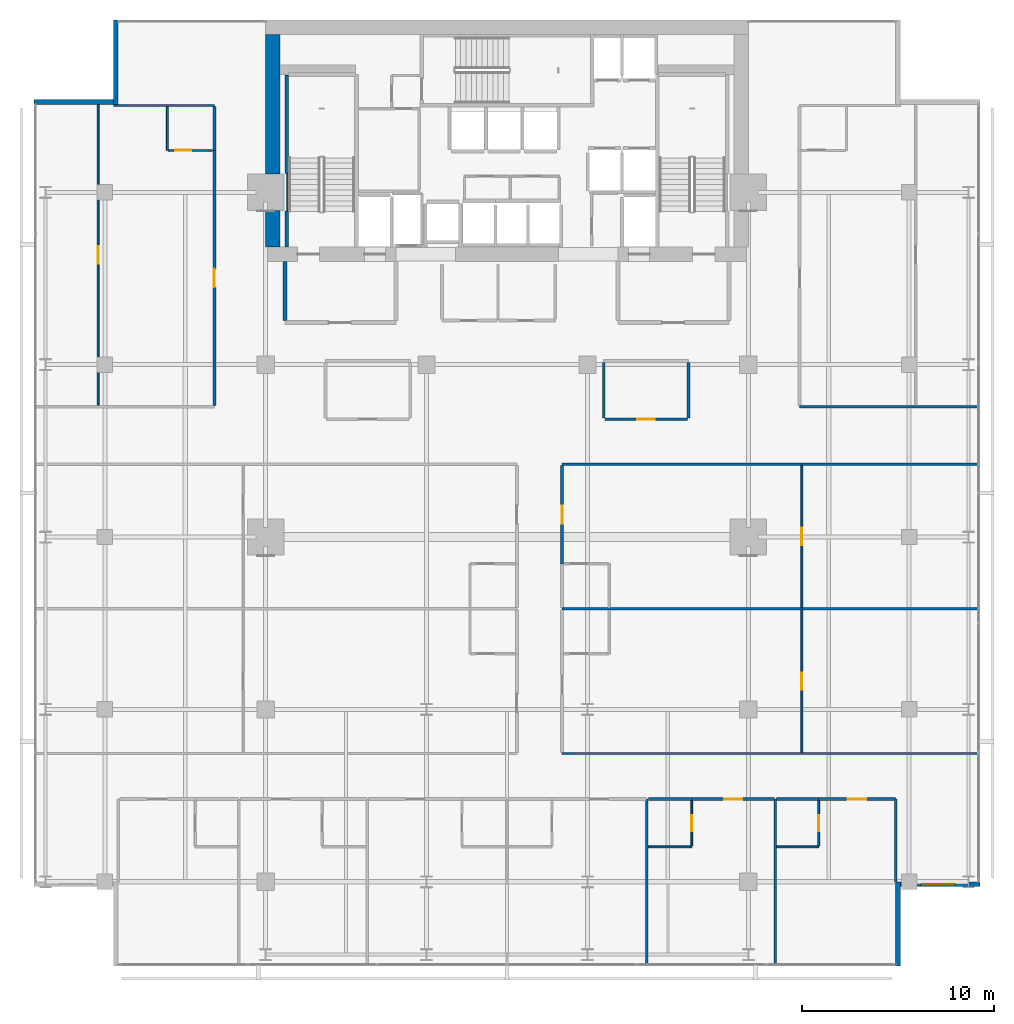
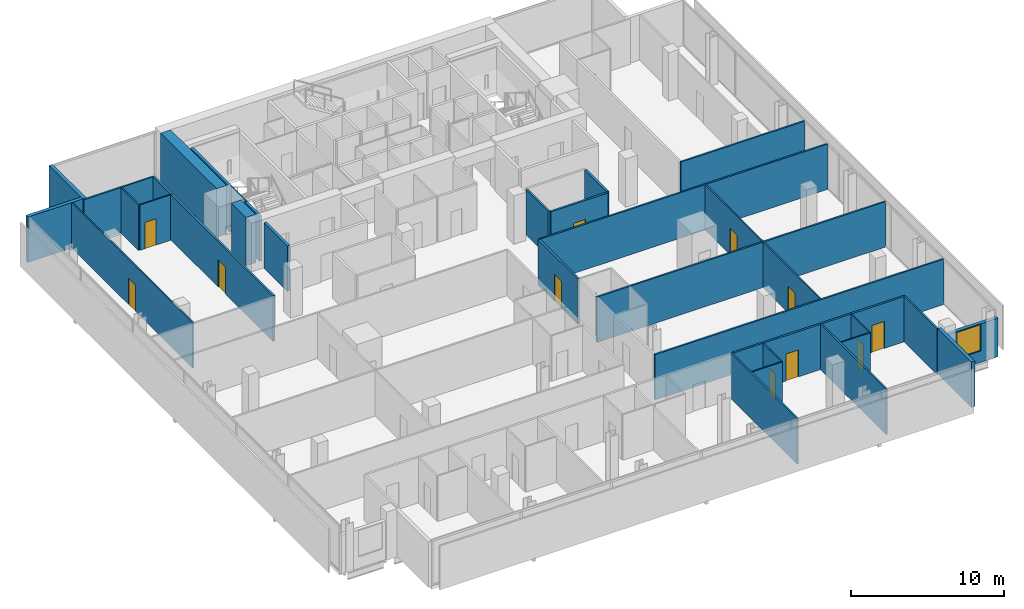
# One storey, part 28 of 33: 37 walls, 11 doors, 1 window, 12 openings.
"""IFC4 building model written with IfcOpenShell, lengths in metres."""

from ifc_helpers import new_model, si_unit, direction, frame, frame_2d, origin, place, context, subcontext, project, spatial, rectangle, extrude, material, layer, layer_set, type_object, element, fill, save


model = new_model("IFC4")

# Units and contexts
model_context = context("Model", 3, precision=1e-05, world=origin(), true_north=direction((0.0, 1.0)))
body_context = subcontext(model_context, "Body", "Model", "MODEL_VIEW")
ifc_project = project(units=[si_unit("LENGTHUNIT", "METRE"), si_unit("AREAUNIT", "SQUARE_METRE"), si_unit("VOLUMEUNIT", "CUBIC_METRE"), si_unit("PLANEANGLEUNIT", "RADIAN"), si_unit("MASSUNIT", "GRAM", prefix="KILO")], contexts=[model_context])

# Site, building, storey
site_placement = place(None, origin())
site = spatial("IfcSite", under=ifc_project, at=site_placement, CompositionType="ELEMENT")
building_placement = place(site_placement, origin())
building = spatial("IfcBuilding", under=site, at=building_placement, Name="Maruvema Waterfront Hotel and Observation Tower", CompositionType="ELEMENT")
storey_placement = place(building_placement, frame((0.0, 0.0, 204.39990234375)))
storey = spatial("IfcBuildingStorey", under=building, at=storey_placement, Name="L50", CompositionType="ELEMENT", Elevation=204.39990234375)

# Walls
ifc_material_1 = material(Name="Twin-stud acoustic gypsum drywall", Category="gypsum")
ifc_layer_1 = layer(ifc_material_1, 0.14990234375, Name="Acoustic Corridor and Suite Demising Wall 150 mm")
ifc_layer_set_1 = layer_set([ifc_layer_1], Name="Twin-stud acoustic gypsum drywall")
wall_type_1 = type_object("IfcWallType", Name="Acoustic Corridor and Suite Demising Wall 150 mm", PredefinedType="PARTITIONING", material=ifc_layer_set_1)
for number, where, z_axis, x_axis, name in (
    (1, (42.85009765625, 33.22998046875, 0.0), (0.0, 0.0, 1.0), (0.0, 1.0, 0.0), "L50 L50-M2 West Wall 032"),
    (2, (47.280029296875, 33.22998046875, 0.0), (0.0, 0.0, 1.0), (0.0, 1.0, 0.0), "L50 L50-M2 East Wall 033"),
):
    element("IfcWall", number, at=place(storey_placement, frame(where, z_axis=z_axis, x_axis=x_axis)), inside=storey, type_object=wall_type_1, Name=name, PredefinedType="PARTITIONING", context=body_context, shape_type="SweptSolid", body=[
        extrude(rectangle(XDim=2.89013671875, YDim=0.14990234375, at=frame_2d((1.445068359375, 0.0))), origin(), (0.0, 0.0, 1.0), 3.610107421875),
    ])

# Wall, opening, door
wall_1_placement = place(storey_placement, frame((42.909912109375, 33.14990234375, 0.0), z_axis=(0.0, 0.0, 1.0), x_axis=(1.0, 0.0, 0.0)))
wall_1 = element("IfcWall", 3, at=wall_1_placement, inside=storey, type_object=wall_type_1, Name="L50 L50-M2 Front 1 034", PredefinedType="PARTITIONING", context=body_context, shape_type="SweptSolid", body=[
    extrude(rectangle(XDim=4.31005859375, YDim=0.14990234375, at=frame_2d((2.155029296875, 0.0))), origin(), (0.0, 0.0, 1.0), 3.610107421875),
])
opening_1_placement = place(wall_1_placement, frame((1.705078125, 0.0, 0.0)))
opening_1 = element("IfcOpeningElement", 4, at=opening_1_placement, cuts=wall_1, Name="Opening DR-090", PredefinedType="OPENING", context=body_context, shape_type="SweptSolid", body=[
    extrude(rectangle(XDim=0.89990234375, YDim=2.10009765625, at=frame_2d((0.449951171875, 1.050048828125))), frame((0.0, 0.0849609375, 0.0), z_axis=(0.0, -1.0, 0.0), x_axis=(1.0, 0.0, 0.0)), (0.0, 0.0, 1.0), 0.169921875),
])
ifc_material_2 = material(Name="Solid-core lacquered timber leaf", Category="wood")
door_type_1 = type_object("IfcDoorType", Name="Accessible Toilet and Room Door 900x2100 mm", OperationType="NOTDEFINED", PredefinedType="DOOR", material=ifc_material_2)
door_1_placement = place(opening_1_placement, frame((0.89990234375, 0.0, 0.0), z_axis=(0.0, 0.0, 1.0), x_axis=(-1.0, 0.0, 0.0)))
door_1 = element("IfcDoor", 5, at=door_1_placement, inside=storey, type_object=door_type_1, Name="L50 Executive Office 3 Door", OperationType="SINGLE_SWING_LEFT", OverallHeight=2.10009765625, OverallWidth=0.89990234375, PredefinedType="DOOR", context=body_context, shape_type="SweptSolid", body=[
    extrude(rectangle(XDim=0.89990234375, YDim=2.10009765625, at=frame_2d((0.449951171875, 1.050048828125))), frame((0.0, 0.02490234375, 0.0), z_axis=(0.0, -1.0, 0.0), x_axis=(1.0, 0.0, 0.0)), (0.0, 0.0, 1.0), 0.050048828125),
])
fill(opening_1, door_1)

# Wall
wall_2_placement = place(storey_placement, frame((45.179931640625, 13.320068359375, 0.0), z_axis=(0.0, 0.0, 1.0), x_axis=(1.0, 0.0, 0.0)))
element("IfcWall", 6, at=wall_2_placement, inside=storey, type_object=wall_type_1, Name="L50 Bath L50-S5 Back Wall 057", PredefinedType="PARTITIONING", context=body_context, shape_type="SweptSolid", body=[
    extrude(rectangle(XDim=2.27001953125, YDim=0.14990234375, at=frame_2d((1.135009765625, 0.0))), origin(), (0.0, 0.0, 1.0), 3.610107421875),
])

# Wall, opening, door
wall_3_placement = place(storey_placement, frame((47.449951171875, 13.320068359375, 0.0), z_axis=(0.0, 0.0, 1.0), x_axis=(1.0, 0.0, 0.0)))
wall_3 = element("IfcWall", 7, at=wall_3_placement, inside=storey, type_object=wall_type_1, Name="L50 Unit L50-S5 Corridor Wall 060", PredefinedType="PARTITIONING", context=body_context, shape_type="SweptSolid", body=[
    extrude(rectangle(XDim=4.330078125, YDim=0.14990234375, at=frame_2d((2.1650390625, 0.0))), origin(), (0.0, 0.0, 1.0), 3.610107421875),
])
opening_2_placement = place(wall_3_placement, frame((1.68994140625, 0.0, 0.0)))
opening_2 = element("IfcOpeningElement", 8, at=opening_2_placement, cuts=wall_3, Name="Opening DR-095", PredefinedType="OPENING", context=body_context, shape_type="SweptSolid", body=[
    extrude(rectangle(XDim=0.949951171875, YDim=2.14990234375, at=frame_2d((0.47509765625, 1.074951171875))), frame((0.0, 0.0849609375, 0.0), z_axis=(0.0, -1.0, 0.0), x_axis=(1.0, 0.0, 0.0)), (0.0, 0.0, 1.0), 0.169921875),
])
ifc_material_3 = material(Name="Acoustic solid-core hardwood timber leaf", Category="wood")
door_type_2 = type_object("IfcDoorType", Name="Guestroom Entrance Fire Door 950x2150 mm", OperationType="NOTDEFINED", PredefinedType="DOOR", material=ifc_material_3)
door_2_placement = place(opening_2_placement, frame((0.949951171875, 0.0, 0.0), z_axis=(0.0, 0.0, 1.0), x_axis=(-1.0, 0.0, 0.0)))
door_2 = element("IfcDoor", 9, at=door_2_placement, inside=storey, type_object=door_type_2, Name="L50 Unit L50-S5 Entrance Door", OperationType="SINGLE_SWING_LEFT", OverallHeight=2.14990234375, OverallWidth=0.949951171875, PredefinedType="DOOR", context=body_context, shape_type="SweptSolid", body=[
    extrude(rectangle(XDim=0.949951171875, YDim=2.14990234375, at=frame_2d((0.47509765625, 1.074951171875))), frame((0.0, 0.02490234375, 0.0), z_axis=(0.0, -1.0, 0.0), x_axis=(1.0, 0.0, 0.0)), (0.0, 0.0, 1.0), 0.050048828125),
])
fill(opening_2, door_2)

# Wall
wall_4_placement = place(storey_placement, frame((51.8798828125, 13.320068359375, 0.0), z_axis=(0.0, 0.0, 1.0), x_axis=(1.0, 0.0, 0.0)))
element("IfcWall", 10, at=wall_4_placement, inside=storey, type_object=wall_type_1, Name="L50 Bath L50-S6 Back Wall 062", PredefinedType="PARTITIONING", context=body_context, shape_type="SweptSolid", body=[
    extrude(rectangle(XDim=2.190185546875, YDim=0.14990234375, at=frame_2d((1.09521484375, 0.0))), origin(), (0.0, 0.0, 1.0), 3.610107421875),
])

# Wall, opening, door
wall_5_placement = place(storey_placement, frame((54.070068359375, 13.320068359375, 0.0), z_axis=(0.0, 0.0, 1.0), x_axis=(1.0, 0.0, 0.0)))
wall_5 = element("IfcWall", 11, at=wall_5_placement, inside=storey, type_object=wall_type_1, Name="L50 Unit L50-S6 Corridor Wall 065", PredefinedType="PARTITIONING", context=body_context, shape_type="SweptSolid", body=[
    extrude(rectangle(XDim=4.010009765625, YDim=0.14990234375, at=frame_2d((2.0048828125, 0.0))), origin(), (0.0, 0.0, 1.0), 3.610107421875),
])
opening_3_placement = place(wall_5_placement, frame((1.530029296875, 0.0, 0.0)))
opening_3 = element("IfcOpeningElement", 12, at=opening_3_placement, cuts=wall_5, Name="Opening DR-095", PredefinedType="OPENING", context=body_context, shape_type="SweptSolid", body=[
    extrude(rectangle(XDim=0.949951171875, YDim=2.14990234375, at=frame_2d((0.47509765625, 1.074951171875))), frame((0.0, 0.0849609375, 0.0), z_axis=(0.0, -1.0, 0.0), x_axis=(1.0, 0.0, 0.0)), (0.0, 0.0, 1.0), 0.169921875),
])
door_3_placement = place(opening_3_placement, frame((0.949951171875, 0.0, 0.0), z_axis=(0.0, 0.0, 1.0), x_axis=(-1.0, 0.0, 0.0)))
door_3 = element("IfcDoor", 13, at=door_3_placement, inside=storey, type_object=door_type_2, Name="L50 Unit L50-S6 Entrance Door", OperationType="SINGLE_SWING_LEFT", OverallHeight=2.14990234375, OverallWidth=0.949951171875, PredefinedType="DOOR", context=body_context, shape_type="SweptSolid", body=[
    extrude(rectangle(XDim=0.949951171875, YDim=2.14990234375, at=frame_2d((0.47509765625, 1.074951171875))), frame((0.0, 0.02490234375, 0.0), z_axis=(0.0, -1.0, 0.0), x_axis=(1.0, 0.0, 0.0)), (0.0, 0.0, 1.0), 0.050048828125),
])
fill(opening_3, door_3)

wall_6_placement = place(storey_placement, frame((40.679931640625, 25.60009765625, 0.0), z_axis=(0.0, 0.0, 1.0), x_axis=(0.0, 1.0, 0.0)))
wall_6 = element("IfcWall", 14, at=wall_6_placement, inside=storey, type_object=wall_type_1, Name="L50 Room L50-E2 Corridor Wall 088", PredefinedType="PARTITIONING", context=body_context, shape_type="SweptSolid", body=[
    extrude(rectangle(XDim=5.139892578125, YDim=0.14990234375, at=frame_2d((2.56982421875, 0.0))), origin(), (0.0, 0.0, 1.0), 3.610107421875),
])
opening_4_placement = place(wall_6_placement, frame((2.094970703125, 0.0, 0.0)))
opening_4 = element("IfcOpeningElement", 15, at=opening_4_placement, cuts=wall_6, Name="Opening DR-095", PredefinedType="OPENING", context=body_context, shape_type="SweptSolid", body=[
    extrude(rectangle(XDim=0.949951171875, YDim=2.14990234375, at=frame_2d((0.47509765625, 1.074951171875))), frame((0.0, 0.0849609375, 0.0), z_axis=(0.0, -1.0, 0.0), x_axis=(1.0, 0.0, 0.0)), (0.0, 0.0, 1.0), 0.169921875),
])
door_4_placement = place(opening_4_placement, frame((0.949951171875, 0.0, 0.0), z_axis=(0.0, 0.0, 1.0), x_axis=(-1.0, 0.0, 0.0)))
door_4 = element("IfcDoor", 16, at=door_4_placement, inside=storey, type_object=door_type_2, Name="L50 Room L50-E2 Entrance Door", OperationType="SINGLE_SWING_RIGHT", OverallHeight=2.14990234375, OverallWidth=0.949951171875, PredefinedType="DOOR", context=body_context, shape_type="SweptSolid", body=[
    extrude(rectangle(XDim=0.949951171875, YDim=2.14990234375, at=frame_2d((0.47509765625, 1.074951171875))), frame((0.0, 0.02490234375, 0.0), z_axis=(0.0, -1.0, 0.0), x_axis=(1.0, 0.0, 0.0)), (0.0, 0.0, 1.0), 0.050048828125),
])
fill(opening_4, door_4)

wall_7_placement = place(storey_placement, frame((22.52001953125, 33.860107421875, 0.0), z_axis=(0.0, 0.0, 1.0), x_axis=(0.0, 1.0, 0.0)))
wall_7 = element("IfcWall", 17, at=wall_7_placement, inside=storey, type_object=wall_type_1, Name="L50 Room L50-NW1 Corridor Wall 096", PredefinedType="PARTITIONING", context=body_context, shape_type="SweptSolid", body=[
    extrude(rectangle(XDim=13.327392578125, YDim=0.14990234375, at=frame_2d((6.66357421875, 0.0))), origin(), (0.0, 0.0, 1.0), 3.610107421875),
])
opening_5_placement = place(wall_7_placement, frame((6.188720703125, 0.0, 0.0)))
opening_5 = element("IfcOpeningElement", 18, at=opening_5_placement, cuts=wall_7, Name="Opening DR-095", PredefinedType="OPENING", context=body_context, shape_type="SweptSolid", body=[
    extrude(rectangle(XDim=0.949951171875, YDim=2.14990234375, at=frame_2d((0.47509765625, 1.074951171875))), frame((0.0, 0.0849609375, 0.0), z_axis=(0.0, -1.0, 0.0), x_axis=(1.0, 0.0, 0.0)), (0.0, 0.0, 1.0), 0.169921875),
])
door_5_placement = place(opening_5_placement, origin())
door_5 = element("IfcDoor", 19, at=door_5_placement, inside=storey, type_object=door_type_2, Name="L50 Room L50-NW1 Entrance Door", OperationType="SINGLE_SWING_LEFT", OverallHeight=2.14990234375, OverallWidth=0.949951171875, PredefinedType="DOOR", context=body_context, shape_type="SweptSolid", body=[
    extrude(rectangle(XDim=0.949951171875, YDim=2.14990234375, at=frame_2d((0.47509765625, 1.074951171875))), frame((0.0, 0.02490234375, 0.0), z_axis=(0.0, -1.0, 0.0), x_axis=(1.0, 0.0, 0.0)), (0.0, 0.0, 1.0), 0.050048828125),
])
fill(opening_5, door_5)

# Walls
wall_8_placement = place(storey_placement, frame((22.52001953125, 47.1875, 0.0), z_axis=(0.0, 0.0, 1.0), x_axis=(0.0, 1.0, 0.0)))
element("IfcWall", 20, at=wall_8_placement, inside=storey, type_object=wall_type_1, Name="L50 Bath L50-NW1 Wall 097", PredefinedType="PARTITIONING", context=body_context, shape_type="SweptSolid", body=[
    extrude(rectangle(XDim=2.2900390625, YDim=0.14990234375, at=frame_2d((1.14501953125, 0.0))), origin(), (0.0, 0.0, 1.0), 3.610107421875),
])
ifc_material_4 = material(Name="Precast concrete C45/55", Category="concrete")
ifc_layer_2 = layer(ifc_material_4, 0.199951171875, Name="Core Shaft and Stairwell Enclosure Wall 200 mm")
ifc_layer_set_2 = layer_set([ifc_layer_2], Name="Precast concrete C45/55")
wall_type_2 = type_object("IfcWallType", Name="Core Shaft and Stairwell Enclosure Wall 200 mm", PredefinedType="SOLIDWALL", material=ifc_layer_set_2)
wall_9_placement = place(storey_placement, frame((26.300048828125, 42.14990234375, 0.0), z_axis=(0.0, 0.0, 1.0), x_axis=(0.0, 1.0, 0.0)))
element("IfcWall", 21, at=wall_9_placement, inside=storey, type_object=wall_type_2, Name="L50 Stairwell ST-01 Shaft Lining Wall", PredefinedType="SOLIDWALL", context=body_context, shape_type="SweptSolid", body=[
    extrude(rectangle(XDim=1.8701171875, YDim=0.199951171875, at=frame_2d((0.93505859375, 0.0))), origin(), (0.0, 0.0, 1.0), 3.610107421875),
])
wall_10_placement = place(storey_placement, frame((26.300048828125, 45.97998046875, 0.0), z_axis=(0.0, 0.0, 1.0), x_axis=(0.0, 1.0, 0.0)))
element("IfcWall", 22, at=wall_10_placement, inside=storey, type_object=wall_type_2, Name="L50 Stairwell ST-01 Shaft Lining Wall", PredefinedType="SOLIDWALL", context=body_context, shape_type="SweptSolid", body=[
    extrude(rectangle(XDim=5.14013671875, YDim=0.199951171875, at=frame_2d((2.570068359375, 0.0))), origin(), (0.0, 0.0, 1.0), 3.610107421875),
])
ifc_material_5 = material(Name="Concrete C70/85", Category="concrete")
ifc_layer_3 = layer(ifc_material_5, 0.75, Name="Core Shear Wall 750 mm")
ifc_layer_set_3 = layer_set([ifc_layer_3], Name="Concrete C70/85")
wall_type_3 = type_object("IfcWallType", Name="Core Shear Wall 750 mm", PredefinedType="SHEAR", material=ifc_layer_set_3)
wall_11_placement = place(storey_placement, frame((25.574951171875, 42.14990234375, 0.0), z_axis=(0.0, 0.0, 1.0), x_axis=(0.0, 1.0, 0.0)))
element("IfcWall", 23, at=wall_11_placement, inside=storey, type_object=wall_type_3, Name="L50 West-South Core Shear Wall", PredefinedType="SHEAR", context=body_context, shape_type="SweptSolid", body=[
    extrude(rectangle(XDim=1.900146484375, YDim=0.75, at=frame_2d((0.9501953125, 0.0))), origin(), (0.0, 0.0, 1.0), 3.85009765625),
])
wall_12_placement = place(storey_placement, frame((25.574951171875, 45.949951171875, 0.0), z_axis=(0.0, 0.0, 1.0), x_axis=(0.0, 1.0, 0.0)))
element("IfcWall", 24, at=wall_12_placement, inside=storey, type_object=wall_type_3, Name="L50 West-North Core Shear Wall", PredefinedType="SHEAR", context=body_context, shape_type="SweptSolid", body=[
    extrude(rectangle(XDim=7.300048828125, YDim=0.75, at=frame_2d((3.64990234375, 0.0))), origin(), (0.0, 0.0, 1.0), 3.85009765625),
])
ifc_material_6 = material(Name="Moisture-resistant cement-board drywall", Category="gypsum")
ifc_layer_4 = layer(ifc_material_6, 0.10009765625, Name="En-Suite Moisture-Resistant Partition 100 mm")
ifc_layer_set_4 = layer_set([ifc_layer_4], Name="Moisture-resistant cement-board drywall")
wall_type_4 = type_object("IfcWallType", Name="En-Suite Moisture-Resistant Partition 100 mm", PredefinedType="PARTITIONING", material=ifc_layer_set_4)
wall_13_placement = place(storey_placement, frame((45.179931640625, 10.820068359375, 0.0), z_axis=(0.0, 0.0, 1.0), x_axis=(1.0, 0.0, 0.0)))
element("IfcWall", 25, at=wall_13_placement, inside=storey, type_object=wall_type_4, Name="L50 En-Suite L50-S5 South 058", PredefinedType="PARTITIONING", context=body_context, shape_type="SweptSolid", body=[
    extrude(rectangle(XDim=2.27001953125, YDim=0.10009765625, at=frame_2d((1.135009765625, 0.0))), origin(), (0.0, 0.0, 1.0), 3.610107421875),
])

# Wall, opening, door
wall_14_placement = place(storey_placement, frame((47.449951171875, 10.8798828125, 0.0), z_axis=(0.0, 0.0, 1.0), x_axis=(0.0, 1.0, 0.0)))
wall_14 = element("IfcWall", 26, at=wall_14_placement, inside=storey, type_object=wall_type_4, Name="L50 En-Suite L50-S5 East 059", PredefinedType="PARTITIONING", context=body_context, shape_type="SweptSolid", body=[
    extrude(rectangle(XDim=2.340087890625, YDim=0.10009765625, at=frame_2d((1.169921875, 0.0))), origin(), (0.0, 0.0, 1.0), 3.610107421875),
])
opening_6_placement = place(wall_14_placement, frame((0.7451171875, 0.0, 0.0)))
opening_6 = element("IfcOpeningElement", 27, at=opening_6_placement, cuts=wall_14, Name="Opening DR-085", PredefinedType="OPENING", context=body_context, shape_type="SweptSolid", body=[
    extrude(rectangle(XDim=0.85009765625, YDim=2.10009765625, at=frame_2d((0.425048828125, 1.050048828125))), frame((0.0, 0.06005859375, 0.0), z_axis=(0.0, -1.0, 0.0), x_axis=(1.0, 0.0, 0.0)), (0.0, 0.0, 1.0), 0.1201171875),
])
ifc_material_7 = material(Name="Moisture-resistant solid timber leaf", Category="wood")
door_type_3 = type_object("IfcDoorType", Name="En-Suite Bathroom Door 850x2100 mm", OperationType="NOTDEFINED", PredefinedType="DOOR", material=ifc_material_7)
door_6_placement = place(opening_6_placement, frame((0.85009765625, 0.0, 0.0), z_axis=(0.0, 0.0, 1.0), x_axis=(-1.0, 0.0, 0.0)))
door_6 = element("IfcDoor", 28, at=door_6_placement, inside=storey, type_object=door_type_3, Name="L50 En-Suite L50-S5 Door", OperationType="SINGLE_SWING_RIGHT", OverallHeight=2.10009765625, OverallWidth=0.85009765625, PredefinedType="DOOR", context=body_context, shape_type="SweptSolid", body=[
    extrude(rectangle(XDim=0.85009765625, YDim=2.10009765625, at=frame_2d((0.425048828125, 1.050048828125))), frame((0.0, 0.02490234375, 0.0), z_axis=(0.0, -1.0, 0.0), x_axis=(1.0, 0.0, 0.0)), (0.0, 0.0, 1.0), 0.050048828125),
])
fill(opening_6, door_6)

# Wall
wall_15_placement = place(storey_placement, frame((51.8798828125, 10.820068359375, 0.0), z_axis=(0.0, 0.0, 1.0), x_axis=(1.0, 0.0, 0.0)))
element("IfcWall", 29, at=wall_15_placement, inside=storey, type_object=wall_type_4, Name="L50 En-Suite L50-S6 South 063", PredefinedType="PARTITIONING", context=body_context, shape_type="SweptSolid", body=[
    extrude(rectangle(XDim=2.190185546875, YDim=0.10009765625, at=frame_2d((1.09521484375, 0.0))), origin(), (0.0, 0.0, 1.0), 3.610107421875),
])

# Wall, opening, door
wall_16_placement = place(storey_placement, frame((54.070068359375, 10.8798828125, 0.0), z_axis=(0.0, 0.0, 1.0), x_axis=(0.0, 1.0, 0.0)))
wall_16 = element("IfcWall", 30, at=wall_16_placement, inside=storey, type_object=wall_type_4, Name="L50 En-Suite L50-S6 East 064", PredefinedType="PARTITIONING", context=body_context, shape_type="SweptSolid", body=[
    extrude(rectangle(XDim=2.340087890625, YDim=0.10009765625, at=frame_2d((1.169921875, 0.0))), origin(), (0.0, 0.0, 1.0), 3.610107421875),
])
opening_7_placement = place(wall_16_placement, frame((0.7451171875, 0.0, 0.0)))
opening_7 = element("IfcOpeningElement", 31, at=opening_7_placement, cuts=wall_16, Name="Opening DR-085", PredefinedType="OPENING", context=body_context, shape_type="SweptSolid", body=[
    extrude(rectangle(XDim=0.85009765625, YDim=2.10009765625, at=frame_2d((0.425048828125, 1.050048828125))), frame((0.0, 0.06005859375, 0.0), z_axis=(0.0, -1.0, 0.0), x_axis=(1.0, 0.0, 0.0)), (0.0, 0.0, 1.0), 0.1201171875),
])
door_7_placement = place(opening_7_placement, frame((0.85009765625, 0.0, 0.0), z_axis=(0.0, 0.0, 1.0), x_axis=(-1.0, 0.0, 0.0)))
door_7 = element("IfcDoor", 32, at=door_7_placement, inside=storey, type_object=door_type_3, Name="L50 En-Suite L50-S6 Door", OperationType="SINGLE_SWING_RIGHT", OverallHeight=2.10009765625, OverallWidth=0.85009765625, PredefinedType="DOOR", context=body_context, shape_type="SweptSolid", body=[
    extrude(rectangle(XDim=0.85009765625, YDim=2.10009765625, at=frame_2d((0.425048828125, 1.050048828125))), frame((0.0, 0.02490234375, 0.0), z_axis=(0.0, -1.0, 0.0), x_axis=(1.0, 0.0, 0.0)), (0.0, 0.0, 1.0), 0.050048828125),
])
fill(opening_7, door_7)

wall_17_placement = place(storey_placement, frame((53.202392578125, 15.760009765625, 0.0), z_axis=(0.0, 0.0, 1.0), x_axis=(0.0, 1.0, 0.0)))
wall_17 = element("IfcWall", 33, at=wall_17_placement, inside=storey, type_object=wall_type_4, Name="L50 Suite L50-E1 Split 079", PredefinedType="PARTITIONING", context=body_context, shape_type="SweptSolid", body=[
    extrude(rectangle(XDim=7.429931640625, YDim=0.10009765625, at=frame_2d((3.71484375, 0.0))), origin(), (0.0, 0.0, 1.0), 3.610107421875),
])
opening_8_placement = place(wall_17_placement, frame((3.264892578125, 0.0, 0.0)))
opening_8 = element("IfcOpeningElement", 34, at=opening_8_placement, cuts=wall_17, Name="Opening DR-090", PredefinedType="OPENING", context=body_context, shape_type="SweptSolid", body=[
    extrude(rectangle(XDim=0.89990234375, YDim=2.10009765625, at=frame_2d((0.449951171875, 1.050048828125))), frame((0.0, 0.06005859375, 0.0), z_axis=(0.0, -1.0, 0.0), x_axis=(1.0, 0.0, 0.0)), (0.0, 0.0, 1.0), 0.1201171875),
])
door_8_placement = place(opening_8_placement, frame((0.89990234375, 0.0, 0.0), z_axis=(0.0, 0.0, 1.0), x_axis=(-1.0, 0.0, 0.0)))
door_8 = element("IfcDoor", 35, at=door_8_placement, inside=storey, type_object=door_type_1, Name="L50 Suite L50-E1 Bedroom Door", OperationType="SINGLE_SWING_LEFT", OverallHeight=2.10009765625, OverallWidth=0.89990234375, PredefinedType="DOOR", context=body_context, shape_type="SweptSolid", body=[
    extrude(rectangle(XDim=0.89990234375, YDim=2.10009765625, at=frame_2d((0.449951171875, 1.050048828125))), frame((0.0, 0.02490234375, 0.0), z_axis=(0.0, -1.0, 0.0), x_axis=(1.0, 0.0, 0.0)), (0.0, 0.0, 1.0), 0.050048828125),
])
fill(opening_8, door_8)

wall_18_placement = place(storey_placement, frame((53.202392578125, 23.31005859375, 0.0), z_axis=(0.0, 0.0, 1.0), x_axis=(0.0, 1.0, 0.0)))
wall_18 = element("IfcWall", 36, at=wall_18_placement, inside=storey, type_object=wall_type_4, Name="L50 Suite L50-E2 Split 091", PredefinedType="PARTITIONING", context=body_context, shape_type="SweptSolid", body=[
    extrude(rectangle(XDim=7.429931640625, YDim=0.10009765625, at=frame_2d((3.71484375, 0.0))), origin(), (0.0, 0.0, 1.0), 3.610107421875),
])
opening_9_placement = place(wall_18_placement, frame((3.264892578125, 0.0, 0.0)))
opening_9 = element("IfcOpeningElement", 37, at=opening_9_placement, cuts=wall_18, Name="Opening DR-090", PredefinedType="OPENING", context=body_context, shape_type="SweptSolid", body=[
    extrude(rectangle(XDim=0.89990234375, YDim=2.10009765625, at=frame_2d((0.449951171875, 1.050048828125))), frame((0.0, 0.06005859375, 0.0), z_axis=(0.0, -1.0, 0.0), x_axis=(1.0, 0.0, 0.0)), (0.0, 0.0, 1.0), 0.1201171875),
])
door_9_placement = place(opening_9_placement, frame((0.89990234375, 0.0, 0.0), z_axis=(0.0, 0.0, 1.0), x_axis=(-1.0, 0.0, 0.0)))
door_9 = element("IfcDoor", 38, at=door_9_placement, inside=storey, type_object=door_type_1, Name="L50 Suite L50-E2 Bedroom Door", OperationType="SINGLE_SWING_LEFT", OverallHeight=2.10009765625, OverallWidth=0.89990234375, PredefinedType="DOOR", context=body_context, shape_type="SweptSolid", body=[
    extrude(rectangle(XDim=0.89990234375, YDim=2.10009765625, at=frame_2d((0.449951171875, 1.050048828125))), frame((0.0, 0.02490234375, 0.0), z_axis=(0.0, -1.0, 0.0), x_axis=(1.0, 0.0, 0.0)), (0.0, 0.0, 1.0), 0.050048828125),
])
fill(opening_9, door_9)

# Wall
wall_19_placement = place(storey_placement, frame((20.070068359375, 47.1875, 0.0), z_axis=(0.0, 0.0, 1.0), x_axis=(0.0, 1.0, 0.0)))
element("IfcWall", 39, at=wall_19_placement, inside=storey, type_object=wall_type_4, Name="L50 En-Suite L50-NW1 W 098", PredefinedType="PARTITIONING", context=body_context, shape_type="SweptSolid", body=[
    extrude(rectangle(XDim=2.2900390625, YDim=0.10009765625, at=frame_2d((1.14501953125, 0.0))), origin(), (0.0, 0.0, 1.0), 3.610107421875),
])

# Wall, opening, door
wall_20_placement = place(storey_placement, frame((20.1201171875, 47.1875, 0.0), z_axis=(0.0, 0.0, 1.0), x_axis=(1.0, 0.0, 0.0)))
wall_20 = element("IfcWall", 40, at=wall_20_placement, inside=storey, type_object=wall_type_4, Name="L50 En-Suite L50-NW1 S 099", PredefinedType="PARTITIONING", context=body_context, shape_type="SweptSolid", body=[
    extrude(rectangle(XDim=2.2998046875, YDim=0.10009765625, at=frame_2d((1.14990234375, 0.0))), origin(), (0.0, 0.0, 1.0), 3.610107421875),
])
opening_10_placement = place(wall_20_placement, frame((0.35009765625, 0.0, 0.0)))
opening_10 = element("IfcOpeningElement", 41, at=opening_10_placement, cuts=wall_20, Name="Opening DR-085", PredefinedType="OPENING", context=body_context, shape_type="SweptSolid", body=[
    extrude(rectangle(XDim=0.85009765625, YDim=2.10009765625, at=frame_2d((0.425048828125, 1.050048828125))), frame((0.0, 0.06005859375, 0.0), z_axis=(0.0, -1.0, 0.0), x_axis=(1.0, 0.0, 0.0)), (0.0, 0.0, 1.0), 0.1201171875),
])
door_10_placement = place(opening_10_placement, frame((0.85009765625, 0.0, 0.0), z_axis=(0.0, 0.0, 1.0), x_axis=(-1.0, 0.0, 0.0)))
door_10 = element("IfcDoor", 42, at=door_10_placement, inside=storey, type_object=door_type_3, Name="L50 En-Suite L50-NW1 Door", OperationType="SINGLE_SWING_RIGHT", OverallHeight=2.10009765625, OverallWidth=0.85009765625, PredefinedType="DOOR", context=body_context, shape_type="SweptSolid", body=[
    extrude(rectangle(XDim=0.85009765625, YDim=2.10009765625, at=frame_2d((0.425048828125, 1.050048828125))), frame((0.0, 0.02490234375, 0.0), z_axis=(0.0, -1.0, 0.0), x_axis=(1.0, 0.0, 0.0)), (0.0, 0.0, 1.0), 0.050048828125),
])
fill(opening_10, door_10)

wall_21_placement = place(storey_placement, frame((16.445556640625, 33.860107421875, 0.0), z_axis=(0.0, 0.0, 1.0), x_axis=(0.0, 1.0, 0.0)))
wall_21 = element("IfcWall", 43, at=wall_21_placement, inside=storey, type_object=wall_type_4, Name="L50 Suite L50-NW1 Split 100", PredefinedType="PARTITIONING", context=body_context, shape_type="SweptSolid", body=[
    extrude(rectangle(XDim=15.7373046875, YDim=0.10009765625, at=frame_2d((7.86865234375, 0.0))), origin(), (0.0, 0.0, 1.0), 3.610107421875),
])
opening_11_placement = place(wall_21_placement, frame((7.418701171875, 0.0, 0.0)))
opening_11 = element("IfcOpeningElement", 44, at=opening_11_placement, cuts=wall_21, Name="Opening DR-090", PredefinedType="OPENING", context=body_context, shape_type="SweptSolid", body=[
    extrude(rectangle(XDim=0.89990234375, YDim=2.10009765625, at=frame_2d((0.449951171875, 1.050048828125))), frame((0.0, 0.06005859375, 0.0), z_axis=(0.0, -1.0, 0.0), x_axis=(1.0, 0.0, 0.0)), (0.0, 0.0, 1.0), 0.1201171875),
])
door_11_placement = place(opening_11_placement, origin())
door_11 = element("IfcDoor", 45, at=door_11_placement, inside=storey, type_object=door_type_1, Name="L50 Suite L50-NW1 Bedroom Door", OperationType="SINGLE_SWING_RIGHT", OverallHeight=2.10009765625, OverallWidth=0.89990234375, PredefinedType="DOOR", context=body_context, shape_type="SweptSolid", body=[
    extrude(rectangle(XDim=0.89990234375, YDim=2.10009765625, at=frame_2d((0.449951171875, 1.050048828125))), frame((0.0, 0.02490234375, 0.0), z_axis=(0.0, -1.0, 0.0), x_axis=(1.0, 0.0, 0.0)), (0.0, 0.0, 1.0), 0.050048828125),
])
fill(opening_11, door_11)

# Wall
ifc_material_8 = material(Name="Precast concrete C45/55 with honed Pernambuco granite facing", Category="masonry")
ifc_layer_5 = layer(ifc_material_8, 0.260009765625, Name="Exterior Granite Clad Spandrel and Pier Wall 260 mm")
ifc_layer_set_5 = layer_set([ifc_layer_5], Name="Precast concrete C45/55 with honed Pernambuco granite facing")
wall_type_5 = type_object("IfcWallType", Name="Exterior Granite Clad Spandrel and Pier Wall 260 mm", PredefinedType="SOLIDWALL", material=ifc_layer_set_5)
wall_22_placement = place(storey_placement, frame((58.22998046875, 9.0, 0.0), z_axis=(0.0, 0.0, 1.0), x_axis=(0.0, -1.0, 0.0)))
element("IfcWall", 46, at=wall_22_placement, inside=storey, type_object=wall_type_5, Name="L50 Corner Notch Granite Pier Wall SE1", PredefinedType="SOLIDWALL", context=body_context, shape_type="SweptSolid", body=[
    extrude(rectangle(XDim=4.39990234375, YDim=0.260009765625, at=frame_2d((2.199951171875, 0.0))), origin(), (0.0, 0.0, 1.0), 3.610107421875),
])

# Wall, opening, window
wall_23_placement = place(storey_placement, frame((62.5, 8.8701171875, 0.0), z_axis=(0.0, 0.0, 1.0), x_axis=(-1.0, 0.0, 0.0)))
wall_23 = element("IfcWall", 47, at=wall_23_placement, inside=storey, type_object=wall_type_5, Name="L50 Corner Notch Granite Pier Wall SE2", PredefinedType="SOLIDWALL", context=body_context, shape_type="SweptSolid", body=[
    extrude(rectangle(XDim=4.39990234375, YDim=0.260009765625, at=frame_2d((2.199951171875, 0.0))), origin(), (0.0, 0.0, 1.0), 3.071044921875),
])
opening_12_placement = place(wall_23_placement, frame((1.300048828125, 0.0, 0.89990234375)))
opening_12 = element("IfcOpeningElement", 48, at=opening_12_placement, cuts=wall_23, Name="Opening WN-02", PredefinedType="OPENING", context=body_context, shape_type="SweptSolid", body=[
    extrude(rectangle(XDim=1.800048828125, YDim=2.10009765625, at=frame_2d((0.89990234375, 1.050048828125))), frame((0.0, 0.14013671875, 0.0), z_axis=(0.0, -1.0, 0.0), x_axis=(1.0, 0.0, 0.0)), (0.0, 0.0, 1.0), 0.280029296875),
])
ifc_material_9 = material(Name="Anodised bronze aluminium frame with laminated low-E glass", Category="aluminium")
window_type = type_object("IfcWindowType", Name="Upper Notch Feature Window 1800x2100 mm", PartitioningType="SINGLE_PANEL", PredefinedType="WINDOW", material=ifc_material_9)
window_placement = place(opening_12_placement, origin())
window = element("IfcWindow", 49, at=window_placement, inside=storey, type_object=window_type, Name="L50 Corner Notch Punched Window SE2", OverallHeight=2.10009765625, OverallWidth=1.800048828125, PartitioningType="SINGLE_PANEL", PredefinedType="WINDOW", context=body_context, shape_type="SweptSolid", body=[
    extrude(rectangle(XDim=1.800048828125, YDim=2.10009765625, at=frame_2d((0.89990234375, 1.050048828125))), frame((0.0, 0.030029296875, 0.0), z_axis=(0.0, -1.0, 0.0), x_axis=(1.0, 0.0, 0.0)), (0.0, 0.0, 1.0), 0.06005859375),
])
fill(opening_12, window)

# Walls
for number, where, z_axis, x_axis, name in (
    (50, (17.3701171875, 49.60009765625, 0.0), (0.0, 0.0, 1.0), (0.0, 1.0, 0.0), "L50 Corner Notch Granite Pier Wall NW1"),
    (51, (13.10009765625, 49.72998046875, 0.0), (0.0, 0.0, 1.0), (1.0, 0.0, 0.0), "L50 Corner Notch Granite Pier Wall NW2"),
):
    element("IfcWall", number, at=place(storey_placement, frame(where, z_axis=z_axis, x_axis=x_axis)), inside=storey, type_object=wall_type_5, Name=name, PredefinedType="SOLIDWALL", context=body_context, shape_type="SweptSolid", body=[
        extrude(rectangle(XDim=4.39990234375, YDim=0.260009765625, at=frame_2d((2.199951171875, 0.0))), origin(), (0.0, 0.0, 1.0), 3.610107421875),
    ])
ifc_material_10 = material(Name="Autoclaved cellular concrete blockwork", Category="masonry")
ifc_layer_6 = layer(ifc_material_10, 0.199951171875, Name="Fire Compartment Masonry Wall 200 mm")
ifc_layer_set_6 = layer_set([ifc_layer_6], Name="Autoclaved cellular concrete blockwork")
wall_type_6 = type_object("IfcWallType", Name="Fire Compartment Masonry Wall 200 mm", PredefinedType="PARTITIONING", material=ifc_layer_set_6)
wall_24_placement = place(storey_placement, frame((26.199951171875, 38.31005859375, 0.0), z_axis=(0.0, 0.0, 1.0), x_axis=(0.0, 1.0, 0.0)))
element("IfcWall", 52, at=wall_24_placement, inside=storey, type_object=wall_type_6, Name="L50 FFL West West Wall 002", PredefinedType="PARTITIONING", context=body_context, shape_type="SweptSolid", body=[
    extrude(rectangle(XDim=3.06982421875, YDim=0.199951171875, at=frame_2d((1.534912109375, 0.0))), origin(), (0.0, 0.0, 1.0), 3.610107421875),
])
ifc_material_11 = material(Name="Acoustic gypsum plasterboard drywall", Category="gypsum")
ifc_layer_7 = layer(ifc_material_11, 0.125, Name="Guestroom Acoustic Demising Wall 125 mm")
ifc_layer_set_7 = layer_set([ifc_layer_7], Name="Acoustic gypsum plasterboard drywall")
wall_type_7 = type_object("IfcWallType", Name="Guestroom Acoustic Demising Wall 125 mm", PredefinedType="PARTITIONING", material=ifc_layer_set_7)
wall_25_placement = place(storey_placement, frame((58.10009765625, 9.0, 0.0), z_axis=(0.0, 0.0, 1.0), x_axis=(0.0, 1.0, 0.0)))
element("IfcWall", 53, at=wall_25_placement, inside=storey, type_object=wall_type_7, Name="L50 Z2 S East End 036", PredefinedType="PARTITIONING", context=body_context, shape_type="SweptSolid", body=[
    extrude(rectangle(XDim=4.320068359375, YDim=0.125, at=frame_2d((2.16015625, 0.0))), origin(), (0.0, 0.0, 1.0), 3.610107421875),
])
for number, where, z_axis, x_axis, name in (
    (54, (45.10009765625, 4.699951171875, 0.0), (0.0, 0.0, 1.0), (0.0, 1.0, 0.0), "L50 Z2 S Demising 5 056"),
    (55, (51.800048828125, 4.699951171875, 0.0), (0.0, 0.0, 1.0), (0.0, 1.0, 0.0), "L50 Z2 S Demising 6 061"),
):
    element("IfcWall", number, at=place(storey_placement, frame(where, z_axis=z_axis, x_axis=x_axis)), inside=storey, type_object=wall_type_7, Name=name, PredefinedType="PARTITIONING", context=body_context, shape_type="SweptSolid", body=[
        extrude(rectangle(XDim=8.6201171875, YDim=0.125, at=frame_2d((4.31005859375, 0.0))), origin(), (0.0, 0.0, 1.0), 3.610107421875),
    ])
for number, where, z_axis, x_axis, name in (
    (56, (40.679931640625, 15.699951171875, 0.0), (0.0, 0.0, 1.0), (1.0, 0.0, 0.0), "L50 Z2 E Bot End 067"),
    (57, (40.679931640625, 30.800048828125, 0.0), (0.0, 0.0, 1.0), (1.0, 0.0, 0.0), "L50 Z2 E Top End 069"),
    (58, (40.679931640625, 23.25, 0.0), (0.0, 0.0, 1.0), (1.0, 0.0, 0.0), "L50 Z2 E Demising 2 081"),
):
    element("IfcWall", number, at=place(storey_placement, frame(where, z_axis=z_axis, x_axis=x_axis)), inside=storey, type_object=wall_type_7, Name=name, PredefinedType="PARTITIONING", context=body_context, shape_type="SweptSolid", body=[
        extrude(rectangle(XDim=21.719970703125, YDim=0.125, at=frame_2d((10.85986328125, 0.0))), origin(), (0.0, 0.0, 1.0), 3.610107421875),
    ])
wall_26_placement = place(storey_placement, frame((53.080078125, 33.800048828125, 0.0), z_axis=(0.0, 0.0, 1.0), x_axis=(1.0, 0.0, 0.0)))
element("IfcWall", 59, at=wall_26_placement, inside=storey, type_object=wall_type_7, Name="L50 Z2 NE Bot End 093", PredefinedType="PARTITIONING", context=body_context, shape_type="SweptSolid", body=[
    extrude(rectangle(XDim=9.31982421875, YDim=0.125, at=frame_2d((4.659912109375, 0.0))), origin(), (0.0, 0.0, 1.0), 3.610107421875),
])
wall_27_placement = place(storey_placement, frame((17.239990234375, 49.53759765625, 0.0), z_axis=(0.0, 0.0, 1.0), x_axis=(1.0, 0.0, 0.0)))
element("IfcWall", 60, at=wall_27_placement, inside=storey, type_object=wall_type_7, Name="L50 Z2 NW Top End 094", PredefinedType="PARTITIONING", context=body_context, shape_type="SweptSolid", body=[
    extrude(rectangle(XDim=5.280029296875, YDim=0.125, at=frame_2d((2.64013671875, 0.0))), origin(), (0.0, 0.0, 1.0), 3.610107421875),
])
ifc_material_12 = material(Name="Precast concrete C45/55", Category="concrete")
ifc_layer_8 = layer(ifc_material_12, 0.10009765625, Name="Stairwell Stringer Cheek Wall 100 mm")
ifc_layer_set_8 = layer_set([ifc_layer_8], Name="Precast concrete C45/55")
wall_type_8 = type_object("IfcWallType", Name="Stairwell Stringer Cheek Wall 100 mm", PredefinedType="SOLIDWALL", material=ifc_layer_set_8)
wall_28_placement = place(storey_placement, frame((26.35205078125, 44.0400390625, 0.0), z_axis=(0.0, 0.0, 1.0), x_axis=(0.0, 1.0, 0.0)))
element("IfcWall", 61, at=wall_28_placement, inside=storey, type_object=wall_type_8, Name="L50 Stairwell ST-01 Mega-Column Cheek Wall", PredefinedType="SOLIDWALL", context=body_context, shape_type="SweptSolid", body=[
    extrude(rectangle(XDim=1.919921875, YDim=0.10009765625, at=frame_2d((0.9599609375, 0.0))), origin(), (0.0, 0.0, 1.0), 3.610107421875),
])

save(model, "model.ifc")
